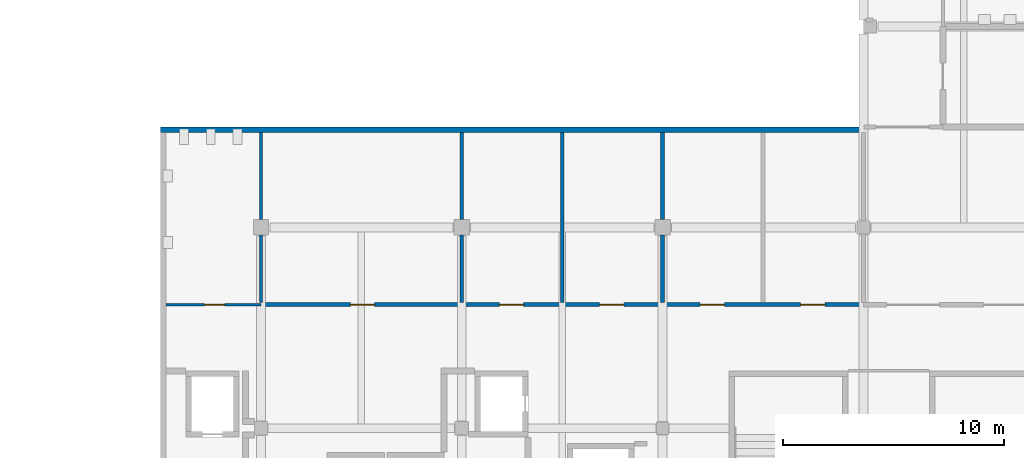
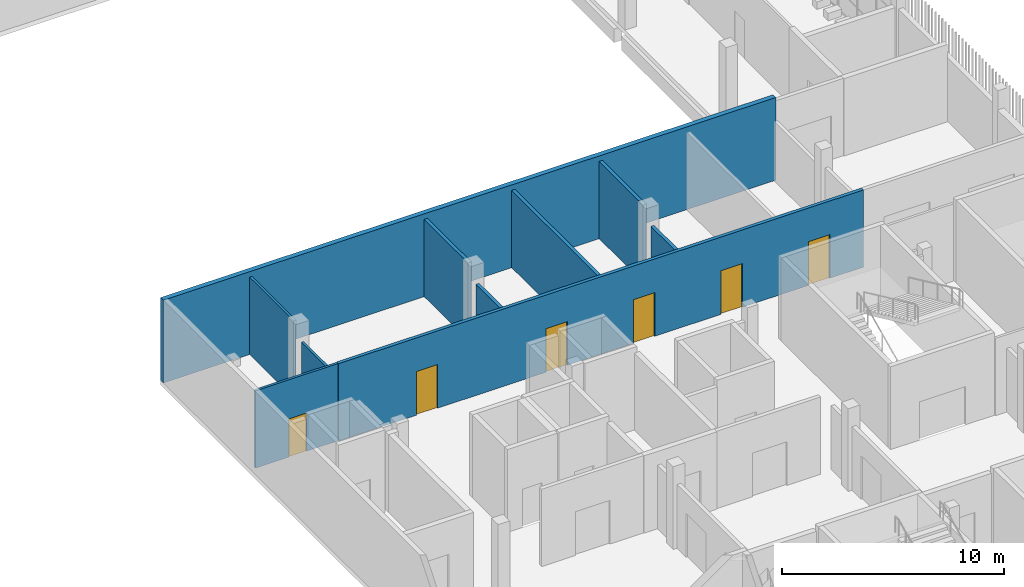
# One storey, part 72 of 124: 10 walls, 6 doors, 6 openings.
"""IFC4 building model written with IfcOpenShell, lengths in metres."""

from ifc_helpers import new_model, si_unit, direction, frame, frame_2d, origin, place, context, subcontext, project, spatial, rectangle, extrude, material, layer, layer_set, type_object, element, fill, save


model = new_model("IFC4")

# Units and contexts
model_context = context("Model", 3, precision=1e-05, world=origin(), true_north=direction((0.0, 1.0)))
body_context = subcontext(model_context, "Body", "Model", "MODEL_VIEW")
ifc_project = project(units=[si_unit("LENGTHUNIT", "METRE"), si_unit("AREAUNIT", "SQUARE_METRE"), si_unit("VOLUMEUNIT", "CUBIC_METRE"), si_unit("PLANEANGLEUNIT", "RADIAN"), si_unit("MASSUNIT", "GRAM", prefix="KILO")], contexts=[model_context])

# Site, building, storey
site_placement = place(None, origin())
site = spatial("IfcSite", under=ifc_project, at=site_placement, CompositionType="ELEMENT")
building_placement = place(site_placement, origin())
building = spatial("IfcBuilding", under=site, at=building_placement, Name="Shirokan Park Arena", CompositionType="ELEMENT")
storey_placement = place(building_placement, frame((0.0, 0.0, 20.02001953125)))
storey = spatial("IfcBuildingStorey", under=building, at=storey_placement, Name="L04", CompositionType="ELEMENT", Elevation=20.02001953125)

# Wall, openings, doors
ifc_material_1 = material(Name="Gypsum board")
ifc_layer_1 = layer(ifc_material_1, 0.02490234375, Name="Gypsum board, two layers")
ifc_material_2 = material(Name="Mineral wool insulation")
ifc_layer_2 = layer(ifc_material_2, 0.10009765625, Name="Acoustic mineral wool in studs")
ifc_layer_3 = layer(ifc_material_1, 0.02490234375, Name="Gypsum board, two layers")
ifc_material_3 = material(Name="Acoustic mat on resilient channel")
ifc_layer_4 = layer(ifc_material_3, 0.02490234375, Name="Acoustic mat on resilient channel")
ifc_layer_set_1 = layer_set([ifc_layer_1, ifc_layer_2, ifc_layer_3, ifc_layer_4], Name="Gypsum board, two layers + Acoustic mineral wool in studs + Acoustic mat on resilient channel")
wall_type_1 = type_object("IfcWallType", Name="Acoustic studio wall 175", PredefinedType="PARTITIONING", material=ifc_layer_set_1)
wall_1_placement = place(storey_placement, frame((109.199951171875, 32.89990234375, 0.0), z_axis=(0.0, 0.0, 1.0), x_axis=(1.0, 0.0, 0.0)))
wall_1 = element("IfcWall", 1, at=wall_1_placement, inside=storey, type_object=wall_type_1, Name="Acoustic studio wall 175 L04", PredefinedType="PARTITIONING", context=body_context, shape_type="SweptSolid", body=[
    extrude(rectangle(XDim=27.300048828125, YDim=0.175048828125, at=frame_2d((13.64990234375, 0.0))), origin(), (0.0, 0.0, 1.0), 4.25),
])
opening_1_placement = place(wall_1_placement, frame((24.449951171875, 0.0, 0.0)))
opening_1 = element("IfcOpeningElement", 2, at=opening_1_placement, cuts=wall_1, Name="Opening D-4018", PredefinedType="OPENING", context=body_context, shape_type="SweptSolid", body=[
    extrude(rectangle(XDim=1.10009765625, YDim=2.39990234375, at=frame_2d((0.550048828125, 1.199951171875))), frame((0.0, 0.097412109375, 0.0), z_axis=(0.0, -1.0, 0.0), x_axis=(1.0, 0.0, 0.0)), (0.0, 0.0, 1.0), 0.195068359375),
])
opening_2_placement = place(wall_1_placement, frame((19.89990234375, 0.0, 0.0)))
opening_2 = element("IfcOpeningElement", 3, at=opening_2_placement, cuts=wall_1, Name="Opening D-4019", PredefinedType="OPENING", context=body_context, shape_type="SweptSolid", body=[
    extrude(rectangle(XDim=1.10009765625, YDim=2.39990234375, at=frame_2d((0.550048828125, 1.199951171875))), frame((0.0, 0.097412109375, 0.0), z_axis=(0.0, -1.0, 0.0), x_axis=(1.0, 0.0, 0.0)), (0.0, 0.0, 1.0), 0.195068359375),
])
opening_3_placement = place(wall_1_placement, frame((15.35009765625, 0.0, 0.0)))
opening_3 = element("IfcOpeningElement", 4, at=opening_3_placement, cuts=wall_1, Name="Opening D-4020", PredefinedType="OPENING", context=body_context, shape_type="SweptSolid", body=[
    extrude(rectangle(XDim=1.10009765625, YDim=2.39990234375, at=frame_2d((0.550048828125, 1.199951171875))), frame((0.0, 0.097412109375, 0.0), z_axis=(0.0, -1.0, 0.0), x_axis=(1.0, 0.0, 0.0)), (0.0, 0.0, 1.0), 0.195068359375),
])
opening_4_placement = place(wall_1_placement, frame((10.800048828125, 0.0, 0.0)))
opening_4 = element("IfcOpeningElement", 5, at=opening_4_placement, cuts=wall_1, Name="Opening D-4021", PredefinedType="OPENING", context=body_context, shape_type="SweptSolid", body=[
    extrude(rectangle(XDim=1.10009765625, YDim=2.39990234375, at=frame_2d((0.550048828125, 1.199951171875))), frame((0.0, 0.097412109375, 0.0), z_axis=(0.0, -1.0, 0.0), x_axis=(1.0, 0.0, 0.0)), (0.0, 0.0, 1.0), 0.195068359375),
])
opening_5_placement = place(wall_1_placement, frame((4.050048828125, 0.0, 0.0)))
opening_5 = element("IfcOpeningElement", 6, at=opening_5_placement, cuts=wall_1, Name="Opening D-4022", PredefinedType="OPENING", context=body_context, shape_type="SweptSolid", body=[
    extrude(rectangle(XDim=1.10009765625, YDim=2.39990234375, at=frame_2d((0.550048828125, 1.199951171875))), frame((0.0, 0.097412109375, 0.0), z_axis=(0.0, -1.0, 0.0), x_axis=(1.0, 0.0, 0.0)), (0.0, 0.0, 1.0), 0.195068359375),
])
ifc_material_4 = material(Name="Acoustic timber door set, fire resisting", Category="wood")
door_type_1 = type_object("IfcDoorType", Name="Acoustic studio door 1100 x 2400", OperationType="SINGLE_SWING_LEFT", PredefinedType="DOOR", material=ifc_material_4)
door_1_placement = place(opening_1_placement, origin())
door_1 = element("IfcDoor", 7, at=door_1_placement, inside=storey, type_object=door_type_1, Name="Door to Commentary Booth 4.21 D-4018", OperationType="SINGLE_SWING_RIGHT", OverallHeight=2.39990234375, OverallWidth=1.10009765625, PredefinedType="DOOR", context=body_context, shape_type="SweptSolid", body=[
    extrude(rectangle(XDim=1.10009765625, YDim=2.39990234375, at=frame_2d((0.550048828125, 1.199951171875))), frame((0.0, 0.02490234375, 0.0), z_axis=(0.0, -1.0, 0.0), x_axis=(1.0, 0.0, 0.0)), (0.0, 0.0, 1.0), 0.050048828125),
])
fill(opening_1, door_1)
door_2_placement = place(opening_2_placement, origin())
door_2 = element("IfcDoor", 8, at=door_2_placement, inside=storey, type_object=door_type_1, Name="Door to Commentary Booth 4.22 D-4019", OperationType="SINGLE_SWING_RIGHT", OverallHeight=2.39990234375, OverallWidth=1.10009765625, PredefinedType="DOOR", context=body_context, shape_type="SweptSolid", body=[
    extrude(rectangle(XDim=1.10009765625, YDim=2.39990234375, at=frame_2d((0.550048828125, 1.199951171875))), frame((0.0, 0.02490234375, 0.0), z_axis=(0.0, -1.0, 0.0), x_axis=(1.0, 0.0, 0.0)), (0.0, 0.0, 1.0), 0.050048828125),
])
fill(opening_2, door_2)
door_3_placement = place(opening_3_placement, origin())
door_3 = element("IfcDoor", 9, at=door_3_placement, inside=storey, type_object=door_type_1, Name="Door to Commentary Booth 4.23 D-4020", OperationType="SINGLE_SWING_RIGHT", OverallHeight=2.39990234375, OverallWidth=1.10009765625, PredefinedType="DOOR", context=body_context, shape_type="SweptSolid", body=[
    extrude(rectangle(XDim=1.10009765625, YDim=2.39990234375, at=frame_2d((0.550048828125, 1.199951171875))), frame((0.0, 0.02490234375, 0.0), z_axis=(0.0, -1.0, 0.0), x_axis=(1.0, 0.0, 0.0)), (0.0, 0.0, 1.0), 0.050048828125),
])
fill(opening_3, door_3)
door_4_placement = place(opening_4_placement, origin())
door_4 = element("IfcDoor", 10, at=door_4_placement, inside=storey, type_object=door_type_1, Name="Door to Commentary Booth 4.24 D-4021", OperationType="SINGLE_SWING_RIGHT", OverallHeight=2.39990234375, OverallWidth=1.10009765625, PredefinedType="DOOR", context=body_context, shape_type="SweptSolid", body=[
    extrude(rectangle(XDim=1.10009765625, YDim=2.39990234375, at=frame_2d((0.550048828125, 1.199951171875))), frame((0.0, 0.02490234375, 0.0), z_axis=(0.0, -1.0, 0.0), x_axis=(1.0, 0.0, 0.0)), (0.0, 0.0, 1.0), 0.050048828125),
])
fill(opening_4, door_4)
door_5_placement = place(opening_5_placement, origin())
door_5 = element("IfcDoor", 11, at=door_5_placement, inside=storey, type_object=door_type_1, Name="Door to Broadcast Compound 4.25 D-4022", OperationType="SINGLE_SWING_LEFT", OverallHeight=2.39990234375, OverallWidth=1.10009765625, PredefinedType="DOOR", context=body_context, shape_type="SweptSolid", body=[
    extrude(rectangle(XDim=1.10009765625, YDim=2.39990234375, at=frame_2d((0.550048828125, 1.199951171875))), frame((0.0, 0.02490234375, 0.0), z_axis=(0.0, -1.0, 0.0), x_axis=(1.0, 0.0, 0.0)), (0.0, 0.0, 1.0), 0.050048828125),
])
fill(opening_5, door_5)

# Walls
wall_2_placement = place(storey_placement, frame((118.300048828125, 32.987548828125, 0.0), z_axis=(0.0, 0.0, 1.0), x_axis=(0.0, 1.0, 0.0)))
element("IfcWall", 12, at=wall_2_placement, inside=storey, type_object=wall_type_1, Name="Acoustic studio wall 175 L04", PredefinedType="PARTITIONING", context=body_context, shape_type="SweptSolid", body=[
    extrude(rectangle(XDim=3.0625, YDim=0.175048828125, at=frame_2d((1.53125, 0.0))), origin(), (0.0, 0.0, 1.0), 3.5),
])
wall_3_placement = place(storey_placement, frame((118.300048828125, 36.75, 0.0), z_axis=(0.0, 0.0, 1.0), x_axis=(0.0, 1.0, 0.0)))
element("IfcWall", 13, at=wall_3_placement, inside=storey, type_object=wall_type_1, Name="Acoustic studio wall 175 L04", PredefinedType="PARTITIONING", context=body_context, shape_type="SweptSolid", body=[
    extrude(rectangle(XDim=3.949951171875, YDim=0.175048828125, at=frame_2d((1.97509765625, 0.0))), origin(), (0.0, 0.0, 1.0), 4.25),
])
wall_4_placement = place(storey_placement, frame((122.85009765625, 32.987548828125, 0.0), z_axis=(0.0, 0.0, 1.0), x_axis=(0.0, 1.0, 0.0)))
element("IfcWall", 14, at=wall_4_placement, inside=storey, type_object=wall_type_1, Name="Acoustic studio wall 175 L04", PredefinedType="PARTITIONING", context=body_context, shape_type="SweptSolid", body=[
    extrude(rectangle(XDim=7.71240234375, YDim=0.175048828125, at=frame_2d((3.856201171875, 0.0))), origin(), (0.0, 0.0, 1.0), 4.25),
])
wall_5_placement = place(storey_placement, frame((127.39990234375, 32.987548828125, 0.0), z_axis=(0.0, 0.0, 1.0), x_axis=(0.0, 1.0, 0.0)))
element("IfcWall", 15, at=wall_5_placement, inside=storey, type_object=wall_type_1, Name="Acoustic studio wall 175 L04", PredefinedType="PARTITIONING", context=body_context, shape_type="SweptSolid", body=[
    extrude(rectangle(XDim=3.0625, YDim=0.175048828125, at=frame_2d((1.53125, 0.0))), origin(), (0.0, 0.0, 1.0), 3.5),
])
wall_6_placement = place(storey_placement, frame((127.39990234375, 36.75, 0.0), z_axis=(0.0, 0.0, 1.0), x_axis=(0.0, 1.0, 0.0)))
element("IfcWall", 16, at=wall_6_placement, inside=storey, type_object=wall_type_1, Name="Acoustic studio wall 175 L04", PredefinedType="PARTITIONING", context=body_context, shape_type="SweptSolid", body=[
    extrude(rectangle(XDim=3.949951171875, YDim=0.175048828125, at=frame_2d((1.97509765625, 0.0))), origin(), (0.0, 0.0, 1.0), 4.25),
])
ifc_material_5 = material(Name="Concrete C35", Category="concrete")
ifc_layer_5 = layer(ifc_material_5, 0.25)
ifc_layer_set_2 = layer_set([ifc_layer_5], Name="Concrete C35 250 mm")
wall_type_2 = type_object("IfcWallType", Name="RC flank wall 250", PredefinedType="SHEAR", material=ifc_layer_set_2)
wall_7_placement = place(storey_placement, frame((104.64990234375, 40.824951171875, 0.0), z_axis=(0.0, 0.0, 1.0), x_axis=(1.0, 0.0, 0.0)))
element("IfcWall", 17, at=wall_7_placement, inside=storey, type_object=wall_type_2, Name="Flank wall E1 L04", PredefinedType="SHEAR", context=body_context, shape_type="SweptSolid", body=[
    extrude(rectangle(XDim=31.85009765625, YDim=0.25, at=frame_2d((15.925048828125, 0.0))), origin(), (0.0, 0.0, 1.0), 4.550048828125),
])

# Wall, opening, door
ifc_material_6 = material(Name="Ceramic tile")
ifc_layer_6 = layer(ifc_material_6, 0.010009765625, Name="Ceramic tile")
ifc_material_7 = material(Name="Cement board")
ifc_layer_7 = layer(ifc_material_7, 0.012451171875, Name="Cement board")
ifc_layer_8 = layer(ifc_material_2, 0.080078125, Name="Mineral wool insulation")
ifc_layer_9 = layer(ifc_material_7, 0.012451171875, Name="Cement board")
ifc_layer_10 = layer(ifc_material_6, 0.010009765625, Name="Ceramic tile")
ifc_layer_set_3 = layer_set([ifc_layer_6, ifc_layer_7, ifc_layer_8, ifc_layer_9, ifc_layer_10], Name="Ceramic tile + Cement board + Mineral wool insulation")
wall_type_3 = type_object("IfcWallType", Name="Wet-area wall 125", PredefinedType="PARTITIONING", material=ifc_layer_set_3)
wall_8_placement = place(storey_placement, frame((109.199951171875, 32.89990234375, 0.0), z_axis=(0.0, 0.0, 1.0), x_axis=(-1.0, 0.0, 0.0)))
wall_8 = element("IfcWall", 18, at=wall_8_placement, inside=storey, type_object=wall_type_3, Name="Wet-area wall 125 L04", PredefinedType="PARTITIONING", context=body_context, shape_type="SweptSolid", body=[
    extrude(rectangle(XDim=4.300048828125, YDim=0.125, at=frame_2d((2.14990234375, 0.0))), origin(), (0.0, 0.0, 1.0), 4.25),
])
opening_6_placement = place(wall_8_placement, frame((1.64990234375, 0.0, 0.0)))
opening_6 = element("IfcOpeningElement", 19, at=opening_6_placement, cuts=wall_8, Name="Opening D-4023", PredefinedType="OPENING", context=body_context, shape_type="SweptSolid", body=[
    extrude(rectangle(XDim=0.89990234375, YDim=2.10009765625, at=frame_2d((0.449951171875, 1.050048828125))), frame((0.0, 0.072509765625, 0.0), z_axis=(0.0, -1.0, 0.0), x_axis=(1.0, 0.0, 0.0)), (0.0, 0.0, 1.0), 0.14501953125),
])
ifc_material_8 = material(Name="Timber door set, fire resisting", Category="wood")
door_type_2 = type_object("IfcDoorType", Name="Door 900 x 2100", OperationType="SINGLE_SWING_LEFT", PredefinedType="DOOR", material=ifc_material_8)
door_6_placement = place(opening_6_placement, origin())
door_6 = element("IfcDoor", 20, at=door_6_placement, inside=storey, type_object=door_type_2, Name="Door to Staff WC 4.26 D-4023", OperationType="SINGLE_SWING_LEFT", OverallHeight=2.10009765625, OverallWidth=0.89990234375, PredefinedType="DOOR", context=body_context, shape_type="SweptSolid", body=[
    extrude(rectangle(XDim=0.89990234375, YDim=2.10009765625, at=frame_2d((0.449951171875, 1.050048828125))), frame((0.0, 0.02490234375, 0.0), z_axis=(0.0, -1.0, 0.0), x_axis=(1.0, 0.0, 0.0)), (0.0, 0.0, 1.0), 0.050048828125),
])
fill(opening_6, door_6)

# Walls
wall_9_placement = place(storey_placement, frame((109.199951171875, 32.987548828125, 0.0), z_axis=(0.0, 0.0, 1.0), x_axis=(0.0, 1.0, 0.0)))
element("IfcWall", 21, at=wall_9_placement, inside=storey, type_object=wall_type_3, Name="Wet-area wall 125 L04", PredefinedType="PARTITIONING", context=body_context, shape_type="SweptSolid", body=[
    extrude(rectangle(XDim=3.0625, YDim=0.125, at=frame_2d((1.53125, 0.0))), origin(), (0.0, 0.0, 1.0), 3.5),
])
wall_10_placement = place(storey_placement, frame((109.199951171875, 36.75, 0.0), z_axis=(0.0, 0.0, 1.0), x_axis=(0.0, 1.0, 0.0)))
element("IfcWall", 22, at=wall_10_placement, inside=storey, type_object=wall_type_3, Name="Wet-area wall 125 L04", PredefinedType="PARTITIONING", context=body_context, shape_type="SweptSolid", body=[
    extrude(rectangle(XDim=3.949951171875, YDim=0.125, at=frame_2d((1.97509765625, 0.0))), origin(), (0.0, 0.0, 1.0), 4.25),
])

save(model, "model.ifc")
